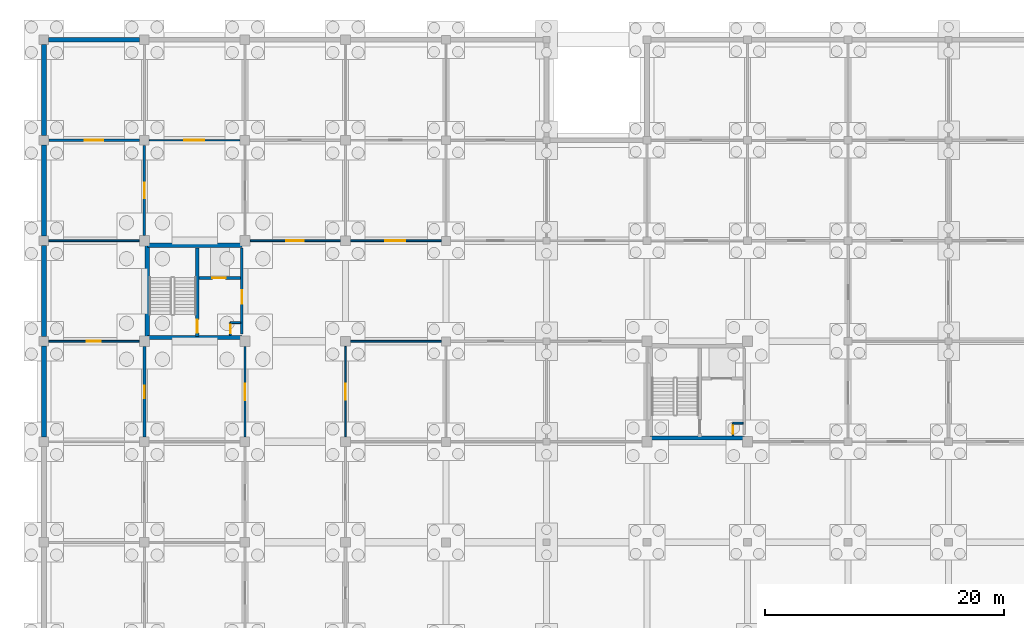
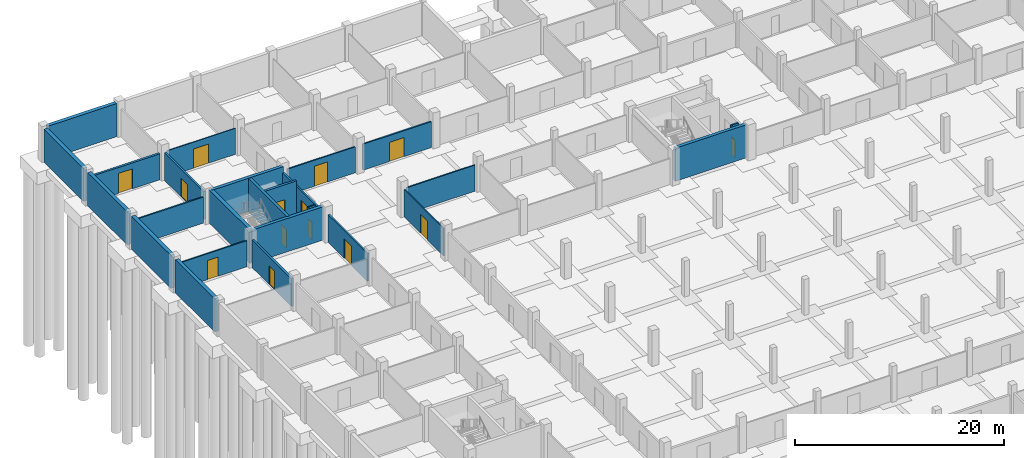
# One storey, part 26 of 43: 27 walls, 14 doors, 14 openings.
"""IFC4 building model written with IfcOpenShell, lengths in metres."""

from ifc_helpers import new_model, si_unit, direction, frame, frame_2d, origin, place, context, subcontext, project, spatial, rectangle, extrude, material, layer, layer_set, type_object, element, fill, save


model = new_model("IFC4")

# Units and contexts
model_context = context("Model", 3, precision=1e-05, world=origin(), true_north=direction((0.0, 1.0)))
body_context = subcontext(model_context, "Body", "Model", "MODEL_VIEW")
ifc_project = project(units=[si_unit("LENGTHUNIT", "METRE"), si_unit("AREAUNIT", "SQUARE_METRE"), si_unit("VOLUMEUNIT", "CUBIC_METRE"), si_unit("PLANEANGLEUNIT", "RADIAN"), si_unit("MASSUNIT", "GRAM", prefix="KILO")], contexts=[model_context])

# Site, building, storey
site_placement = place(None, origin())
site = spatial("IfcSite", under=ifc_project, at=site_placement, CompositionType="ELEMENT")
building_placement = place(site_placement, origin())
building = spatial("IfcBuilding", under=site, at=building_placement, Name="Varnapada Polytechnic", CompositionType="ELEMENT")
storey_placement = place(building_placement, frame((0.0, 0.0, -4.199951171875)))
storey = spatial("IfcBuildingStorey", under=building, at=storey_placement, Name="B1", CompositionType="ELEMENT", Elevation=-4.199951171875)

# Wall, opening, door
ifc_material_1 = material(Name="Autoclaved Aerated Concrete Block AAC-600", Category="concrete")
ifc_layer_1 = layer(ifc_material_1, 0.199951171875)
ifc_layer_set_1 = layer_set([ifc_layer_1], Name="Autoclaved Aerated Concrete Block AAC-600")
wall_type_1 = type_object("IfcWallType", Name="Interior Wall IW-01", PredefinedType="PARTITIONING", material=ifc_layer_set_1)
wall_1_placement = place(storey_placement, frame((16.5400390625, 108.60009765625, 0.0), z_axis=(0.0, 0.0, 1.0), x_axis=(0.0, -1.0, 0.0)))
wall_1 = element("IfcWall", 1, at=wall_1_placement, inside=storey, type_object=wall_type_1, Name="B1 C1 firefighting lobby east wall", PredefinedType="PARTITIONING", context=body_context, shape_type="SweptSolid", body=[
    extrude(rectangle(XDim=7.2001953125, YDim=0.199951171875, at=frame_2d((3.60009765625, 0.0))), origin(), (0.0, 0.0, 1.0), 3.25),
])
opening_1_placement = place(wall_1_placement, frame((3.550048828125, 0.0, 0.0)))
opening_1 = element("IfcOpeningElement", 2, at=opening_1_placement, cuts=wall_1, Name="Opening D-603", PredefinedType="OPENING", context=body_context, shape_type="SweptSolid", body=[
    extrude(rectangle(XDim=1.10009765625, YDim=2.14990234375, at=frame_2d((0.550048828125, 1.074951171875))), frame((0.0, 0.10986328125, 0.0), z_axis=(0.0, -1.0, 0.0), x_axis=(1.0, 0.0, 0.0)), (0.0, 0.0, 1.0), 0.219970703125),
])
ifc_material_2 = material(Name="Galvanized Steel Z275", Category="steel")
door_type_1 = type_object("IfcDoorType", Name="Interior Door ID-01", OperationType="NOTDEFINED", PredefinedType="DOOR", material=ifc_material_2)
door_1_placement = place(opening_1_placement, frame((1.10009765625, 0.0, 0.0), z_axis=(0.0, 0.0, 1.0), x_axis=(-1.0, 0.0, 0.0)))
door_1 = element("IfcDoor", 3, at=door_1_placement, inside=storey, type_object=door_type_1, Name="B1 C1 lobby fire door D-603", OperationType="SINGLE_SWING_LEFT", OverallHeight=2.14990234375, OverallWidth=1.10009765625, PredefinedType="DOOR", context=body_context, shape_type="SweptSolid", body=[
    extrude(rectangle(XDim=1.10009765625, YDim=2.14990234375, at=frame_2d((0.550048828125, 1.074951171875))), frame((0.0, 0.02490234375, 0.0), z_axis=(0.0, -1.0, 0.0), x_axis=(1.0, 0.0, 0.0)), (0.0, 0.0, 1.0), 0.050048828125),
])
fill(opening_1, door_1)

ifc_layer_2 = layer(ifc_material_1, 0.14990234375)
ifc_layer_set_2 = layer_set([ifc_layer_2], Name="Autoclaved Aerated Concrete Block AAC-600")
wall_type_2 = type_object("IfcWallType", Name="Interior Wall IW-02", PredefinedType="PARTITIONING", material=ifc_layer_set_2)
wall_2_placement = place(storey_placement, frame((15.580078125, 102.360107421875, 0.0), z_axis=(0.0, 0.0, 1.0), x_axis=(0.0, -1.0, 0.0)))
wall_2 = element("IfcWall", 4, at=wall_2_placement, inside=storey, type_object=wall_type_2, Name="B1 C1 riser shaft west wall", PredefinedType="PARTITIONING", context=body_context, shape_type="SweptSolid", body=[
    extrude(rectangle(XDim=1.06005859375, YDim=0.14990234375, at=frame_2d((0.530029296875, 0.0))), origin(), (0.0, 0.0, 1.0), 3.320068359375),
])
opening_2_placement = place(wall_2_placement, frame((0.159912109375, 0.0, 0.0)))
opening_2 = element("IfcOpeningElement", 5, at=opening_2_placement, cuts=wall_2, Name="Opening TD-02", PredefinedType="OPENING", context=body_context, shape_type="SweptSolid", body=[
    extrude(rectangle(XDim=0.75, YDim=2.050048828125, at=frame_2d((0.375, 1.02490234375))), frame((0.0, 0.0849609375, 0.0), z_axis=(0.0, -1.0, 0.0), x_axis=(1.0, 0.0, 0.0)), (0.0, 0.0, 1.0), 0.169921875),
])
door_type_2 = type_object("IfcDoorType", Name="Interior Door TD-01", OperationType="NOTDEFINED", PredefinedType="TRAPDOOR", material=ifc_material_2)
door_2_placement = place(opening_2_placement, origin())
door_2 = element("IfcDoor", 6, at=door_2_placement, inside=storey, type_object=door_type_2, Name="B1 C1 riser access door TD-02", OperationType="SINGLE_SWING_LEFT", OverallHeight=2.050048828125, OverallWidth=0.75, PredefinedType="TRAPDOOR", context=body_context, shape_type="SweptSolid", body=[
    extrude(rectangle(XDim=0.75, YDim=2.050048828125, at=frame_2d((0.375, 1.02490234375))), frame((0.0, 0.02490234375, 0.0), z_axis=(0.0, -1.0, 0.0), x_axis=(1.0, 0.0, 0.0)), (0.0, 0.0, 1.0), 0.050048828125),
])
fill(opening_2, door_2)

# Wall
wall_3_placement = place(storey_placement, frame((15.580078125, 102.360107421875, 0.0), z_axis=(0.0, 0.0, 1.0), x_axis=(1.0, 0.0, 0.0)))
element("IfcWall", 7, at=wall_3_placement, inside=storey, type_object=wall_type_2, Name="B1 C1 riser shaft north wall", PredefinedType="PARTITIONING", context=body_context, shape_type="SweptSolid", body=[
    extrude(rectangle(XDim=0.85986328125, YDim=0.14990234375, at=frame_2d((0.429931640625, 0.0))), origin(), (0.0, 0.0, 1.0), 3.320068359375),
])

# Wall, opening, door
wall_4_placement = place(storey_placement, frame((57.580078125, 93.9599609375, 0.0), z_axis=(0.0, 0.0, 1.0), x_axis=(0.0, -1.0, 0.0)))
wall_4 = element("IfcWall", 8, at=wall_4_placement, inside=storey, type_object=wall_type_2, Name="B1 C4 riser shaft west wall", PredefinedType="PARTITIONING", context=body_context, shape_type="SweptSolid", body=[
    extrude(rectangle(XDim=1.06005859375, YDim=0.14990234375, at=frame_2d((0.530029296875, 0.0))), origin(), (0.0, 0.0, 1.0), 3.320068359375),
])
opening_3_placement = place(wall_4_placement, frame((0.159912109375, 0.0, 0.0)))
opening_3 = element("IfcOpeningElement", 9, at=opening_3_placement, cuts=wall_4, Name="Opening TD-04", PredefinedType="OPENING", context=body_context, shape_type="SweptSolid", body=[
    extrude(rectangle(XDim=0.75, YDim=2.050048828125, at=frame_2d((0.375, 1.02490234375))), frame((0.0, 0.0849609375, 0.0), z_axis=(0.0, -1.0, 0.0), x_axis=(1.0, 0.0, 0.0)), (0.0, 0.0, 1.0), 0.169921875),
])
door_3_placement = place(opening_3_placement, origin())
door_3 = element("IfcDoor", 10, at=door_3_placement, inside=storey, type_object=door_type_2, Name="B1 C4 riser access door TD-04", OperationType="SINGLE_SWING_LEFT", OverallHeight=2.050048828125, OverallWidth=0.75, PredefinedType="TRAPDOOR", context=body_context, shape_type="SweptSolid", body=[
    extrude(rectangle(XDim=0.75, YDim=2.050048828125, at=frame_2d((0.375, 1.02490234375))), frame((0.0, 0.02490234375, 0.0), z_axis=(0.0, -1.0, 0.0), x_axis=(1.0, 0.0, 0.0)), (0.0, 0.0, 1.0), 0.050048828125),
])
fill(opening_3, door_3)

# Wall
wall_5_placement = place(storey_placement, frame((57.580078125, 93.9599609375, 0.0), z_axis=(0.0, 0.0, 1.0), x_axis=(1.0, 0.0, 0.0)))
element("IfcWall", 11, at=wall_5_placement, inside=storey, type_object=wall_type_2, Name="B1 C4 riser shaft north wall", PredefinedType="PARTITIONING", context=body_context, shape_type="SweptSolid", body=[
    extrude(rectangle(XDim=0.85986328125, YDim=0.14990234375, at=frame_2d((0.429931640625, 0.0))), origin(), (0.0, 0.0, 1.0), 3.320068359375),
])

# Wall, opening, door
ifc_material_3 = material(Name="Gypsum Plasterboard Acoustic Partition")
ifc_layer_3 = layer(ifc_material_3, 0.125)
ifc_layer_set_3 = layer_set([ifc_layer_3], Name="Gypsum Plasterboard Acoustic Partition")
wall_type_3 = type_object("IfcWallType", Name="Interior Wall IW-03", PredefinedType="PARTITIONING", material=ifc_layer_set_3)
wall_6_placement = place(storey_placement, frame((25.199951171875, 92.820068359375, 0.0), z_axis=(0.0, 0.0, 1.0), x_axis=(0.0, 1.0, 0.0)))
wall_6 = element("IfcWall", 12, at=wall_6_placement, inside=storey, type_object=wall_type_3, Name="B1 interior partition IW-B1-02-11-V", PredefinedType="PARTITIONING", context=body_context, shape_type="SweptSolid", body=[
    extrude(rectangle(XDim=7.559814453125, YDim=0.125, at=frame_2d((3.77978515625, 0.0))), origin(), (0.0, 0.0, 1.0), 3.25),
])
opening_4_placement = place(wall_6_placement, frame((3.074951171875, 0.0, 0.0)))
opening_4 = element("IfcOpeningElement", 13, at=opening_4_placement, cuts=wall_6, Name="Opening D-644", PredefinedType="OPENING", context=body_context, shape_type="SweptSolid", body=[
    extrude(rectangle(XDim=1.35009765625, YDim=2.25, at=frame_2d((0.675048828125, 1.125))), frame((0.0, 0.072509765625, 0.0), z_axis=(0.0, -1.0, 0.0), x_axis=(1.0, 0.0, 0.0)), (0.0, 0.0, 1.0), 0.14501953125),
])
ifc_material_4 = material(Name="Powder-Coated Aluminium 6063-T6", Category="aluminium")
door_type_3 = type_object("IfcDoorType", Name="Interior Door ID-17", OperationType="NOTDEFINED", PredefinedType="DOOR", material=ifc_material_4)
door_4_placement = place(opening_4_placement, frame((1.35009765625, 0.0, 0.0), z_axis=(0.0, 0.0, 1.0), x_axis=(-1.0, 0.0, 0.0)))
door_4 = element("IfcDoor", 14, at=door_4_placement, inside=storey, type_object=door_type_3, Name="B1 interior room door D-644", OperationType="SINGLE_SWING_LEFT", OverallHeight=2.25, OverallWidth=1.35009765625, PredefinedType="DOOR", context=body_context, shape_type="SweptSolid", body=[
    extrude(rectangle(XDim=1.35009765625, YDim=2.25, at=frame_2d((0.675048828125, 1.125))), frame((0.0, 0.02490234375, 0.0), z_axis=(0.0, -1.0, 0.0), x_axis=(1.0, 0.0, 0.0)), (0.0, 0.0, 1.0), 0.050048828125),
])
fill(opening_4, door_4)

ifc_material_5 = material(Name="Moisture-Resistant Cement Board Partition")
ifc_layer_4 = layer(ifc_material_5, 0.139892578125)
ifc_layer_set_4 = layer_set([ifc_layer_4], Name="Moisture-Resistant Cement Board Partition")
wall_type_4 = type_object("IfcWallType", Name="Interior Wall IW-04", PredefinedType="PARTITIONING", material=ifc_layer_set_4)
wall_7_placement = place(storey_placement, frame((17.2451171875, 109.199951171875, 0.0), z_axis=(0.0, 0.0, 1.0), x_axis=(1.0, 0.0, 0.0)))
wall_7 = element("IfcWall", 15, at=wall_7_placement, inside=storey, type_object=wall_type_4, Name="B1 interior partition IW-B1-02-12-H", PredefinedType="PARTITIONING", context=body_context, shape_type="SweptSolid", body=[
    extrude(rectangle(XDim=7.534912109375, YDim=0.139892578125, at=frame_2d((3.767578125, 0.0))), origin(), (0.0, 0.0, 1.0), 3.050048828125),
])
opening_5_placement = place(wall_7_placement, frame((3.02490234375, 0.0, 0.0)))
opening_5 = element("IfcOpeningElement", 16, at=opening_5_placement, cuts=wall_7, Name="Opening D-645", PredefinedType="OPENING", context=body_context, shape_type="SweptSolid", body=[
    extrude(rectangle(XDim=1.449951171875, YDim=2.35009765625, at=frame_2d((0.72509765625, 1.175048828125))), frame((0.0, 0.079833984375, 0.0), z_axis=(0.0, -1.0, 0.0), x_axis=(1.0, 0.0, 0.0)), (0.0, 0.0, 1.0), 0.159912109375),
])
door_type_4 = type_object("IfcDoorType", Name="Interior Door ID-18", OperationType="NOTDEFINED", PredefinedType="DOOR", material=ifc_material_2)
door_5_placement = place(opening_5_placement, origin())
door_5 = element("IfcDoor", 17, at=door_5_placement, inside=storey, type_object=door_type_4, Name="B1 interior room door D-645", OperationType="SINGLE_SWING_RIGHT", OverallHeight=2.35009765625, OverallWidth=1.449951171875, PredefinedType="DOOR", context=body_context, shape_type="SweptSolid", body=[
    extrude(rectangle(XDim=1.449951171875, YDim=2.35009765625, at=frame_2d((0.72509765625, 1.175048828125))), frame((0.0, 0.02490234375, 0.0), z_axis=(0.0, -1.0, 0.0), x_axis=(1.0, 0.0, 0.0)), (0.0, 0.0, 1.0), 0.050048828125),
])
fill(opening_5, door_5)

# Wall
wall_8_placement = place(storey_placement, frame((25.6201171875, 100.800048828125, 0.0), z_axis=(0.0, 0.0, 1.0), x_axis=(1.0, 0.0, 0.0)))
element("IfcWall", 18, at=wall_8_placement, inside=storey, type_object=wall_type_4, Name="B1 interior partition IW-B1-03-11-H", PredefinedType="PARTITIONING", context=body_context, shape_type="SweptSolid", body=[
    extrude(rectangle(XDim=7.5849609375, YDim=0.139892578125, at=frame_2d((3.79248046875, 0.0))), origin(), (0.0, 0.0, 1.0), 3.050048828125),
])

# Wall, opening, door
ifc_material_6 = material(Name="Cross-laminated timber CLT C24", Category="wood")
ifc_layer_5 = layer(ifc_material_6, 0.159912109375)
ifc_layer_set_5 = layer_set([ifc_layer_5], Name="Cross-laminated timber CLT C24")
wall_type_5 = type_object("IfcWallType", Name="Interior Wall IW-05", PredefinedType="PARTITIONING", material=ifc_layer_set_5)
wall_9_placement = place(storey_placement, frame((25.6201171875, 109.199951171875, 0.0), z_axis=(0.0, 0.0, 1.0), x_axis=(1.0, 0.0, 0.0)))
wall_9 = element("IfcWall", 19, at=wall_9_placement, inside=storey, type_object=wall_type_5, Name="B1 interior partition IW-B1-03-12-H", PredefinedType="PARTITIONING", context=body_context, shape_type="SweptSolid", body=[
    extrude(rectangle(XDim=7.5849609375, YDim=0.159912109375, at=frame_2d((3.79248046875, 0.0))), origin(), (0.0, 0.0, 1.0), 3.050048828125),
])
opening_6_placement = place(wall_9_placement, frame((2.925048828125, 0.0, 0.0)))
opening_6 = element("IfcOpeningElement", 20, at=opening_6_placement, cuts=wall_9, Name="Opening D-652", PredefinedType="OPENING", context=body_context, shape_type="SweptSolid", body=[
    extrude(rectangle(XDim=1.64990234375, YDim=2.25, at=frame_2d((0.824951171875, 1.125))), frame((0.0, 0.08984375, 0.0), z_axis=(0.0, -1.0, 0.0), x_axis=(1.0, 0.0, 0.0)), (0.0, 0.0, 1.0), 0.179931640625),
])
ifc_material_7 = material(Name="Solid Teak Hardwood Timber", Category="wood")
door_type_5 = type_object("IfcDoorType", Name="Interior Door ID-08", OperationType="NOTDEFINED", PredefinedType="DOOR", material=ifc_material_7)
door_6_placement = place(opening_6_placement, origin())
door_6 = element("IfcDoor", 21, at=door_6_placement, inside=storey, type_object=door_type_5, Name="B1 interior room door D-652", OperationType="SINGLE_SWING_LEFT", OverallHeight=2.25, OverallWidth=1.64990234375, PredefinedType="DOOR", context=body_context, shape_type="SweptSolid", body=[
    extrude(rectangle(XDim=1.64990234375, YDim=2.25, at=frame_2d((0.824951171875, 1.125))), frame((0.0, 0.02490234375, 0.0), z_axis=(0.0, -1.0, 0.0), x_axis=(1.0, 0.0, 0.0)), (0.0, 0.0, 1.0), 0.050048828125),
])
fill(opening_6, door_6)

ifc_material_8 = material(Name="Acoustic Double-Stud Studio Partition")
ifc_layer_6 = layer(ifc_material_8, 0.179931640625)
ifc_layer_set_6 = layer_set([ifc_layer_6], Name="Acoustic Double-Stud Studio Partition")
wall_type_6 = type_object("IfcWallType", Name="Interior Wall IW-06", PredefinedType="PARTITIONING", material=ifc_layer_set_6)
wall_10_placement = place(storey_placement, frame((16.800048828125, 92.820068359375, 0.0), z_axis=(0.0, 0.0, 1.0), x_axis=(0.0, 1.0, 0.0)))
wall_10 = element("IfcWall", 22, at=wall_10_placement, inside=storey, type_object=wall_type_6, Name="B1 interior partition IW-B1-01-11-V", PredefinedType="PARTITIONING", context=body_context, shape_type="SweptSolid", body=[
    extrude(rectangle(XDim=7.534912109375, YDim=0.179931640625, at=frame_2d((3.767578125, 0.0))), origin(), (0.0, 0.0, 1.0), 3.25),
])
opening_7_placement = place(wall_10_placement, frame((3.050048828125, 0.0, 0.0)))
opening_7 = element("IfcOpeningElement", 23, at=opening_7_placement, cuts=wall_10, Name="Opening D-633", PredefinedType="OPENING", context=body_context, shape_type="SweptSolid", body=[
    extrude(rectangle(XDim=1.39990234375, YDim=2.25, at=frame_2d((0.699951171875, 1.125))), frame((0.0, 0.099853515625, 0.0), z_axis=(0.0, -1.0, 0.0), x_axis=(1.0, 0.0, 0.0)), (0.0, 0.0, 1.0), 0.199951171875),
])
door_type_6 = type_object("IfcDoorType", Name="Interior Door ID-06", OperationType="NOTDEFINED", PredefinedType="DOOR", material=ifc_material_4)
door_7_placement = place(opening_7_placement, origin())
door_7 = element("IfcDoor", 24, at=door_7_placement, inside=storey, type_object=door_type_6, Name="B1 interior room door D-633", OperationType="SINGLE_SWING_RIGHT", OverallHeight=2.25, OverallWidth=1.39990234375, PredefinedType="DOOR", context=body_context, shape_type="SweptSolid", body=[
    extrude(rectangle(XDim=1.39990234375, YDim=2.25, at=frame_2d((0.699951171875, 1.125))), frame((0.0, 0.02490234375, 0.0), z_axis=(0.0, -1.0, 0.0), x_axis=(1.0, 0.0, 0.0)), (0.0, 0.0, 1.0), 0.050048828125),
])
fill(opening_7, door_7)

ifc_material_9 = material(Name="Operable Acoustic Seminar Partition")
ifc_layer_7 = layer(ifc_material_9, 0.10009765625)
ifc_layer_set_7 = layer_set([ifc_layer_7], Name="Operable Acoustic Seminar Partition")
wall_type_7 = type_object("IfcWallType", Name="Interior Wall IW-08", PredefinedType="MOVABLE", material=ifc_layer_set_7)
wall_11_placement = place(storey_placement, frame((8.820068359375, 117.60009765625, 0.0), z_axis=(0.0, 0.0, 1.0), x_axis=(1.0, 0.0, 0.0)))
wall_11 = element("IfcWall", 25, at=wall_11_placement, inside=storey, type_object=wall_type_7, Name="B1 interior partition IW-B1-01-13-H", PredefinedType="MOVABLE", context=body_context, shape_type="SweptSolid", body=[
    extrude(rectangle(XDim=7.559814453125, YDim=0.10009765625, at=frame_2d((3.77978515625, 0.0))), origin(), (0.0, 0.0, 1.0), 3.050048828125),
])
opening_8_placement = place(wall_11_placement, frame((2.925048828125, 0.0, 0.0)))
opening_8 = element("IfcOpeningElement", 26, at=opening_8_placement, cuts=wall_11, Name="Opening D-635", PredefinedType="OPENING", context=body_context, shape_type="SweptSolid", body=[
    extrude(rectangle(XDim=1.64990234375, YDim=2.25, at=frame_2d((0.824951171875, 1.125))), frame((0.0, 0.06005859375, 0.0), z_axis=(0.0, -1.0, 0.0), x_axis=(1.0, 0.0, 0.0)), (0.0, 0.0, 1.0), 0.1201171875),
])
door_8_placement = place(opening_8_placement, frame((1.64990234375, 0.0, 0.0), z_axis=(0.0, 0.0, 1.0), x_axis=(-1.0, 0.0, 0.0)))
door_8 = element("IfcDoor", 27, at=door_8_placement, inside=storey, type_object=door_type_5, Name="B1 interior room door D-635", OperationType="SINGLE_SWING_RIGHT", OverallHeight=2.25, OverallWidth=1.64990234375, PredefinedType="DOOR", context=body_context, shape_type="SweptSolid", body=[
    extrude(rectangle(XDim=1.64990234375, YDim=2.25, at=frame_2d((0.824951171875, 1.125))), frame((0.0, 0.02490234375, 0.0), z_axis=(0.0, -1.0, 0.0), x_axis=(1.0, 0.0, 0.0)), (0.0, 0.0, 1.0), 0.050048828125),
])
fill(opening_8, door_8)

ifc_material_10 = material(Name="Heavy Acoustic Auditorium Baffle Wall")
ifc_layer_8 = layer(ifc_material_10, 0.219970703125)
ifc_layer_set_8 = layer_set([ifc_layer_8], Name="Heavy Acoustic Auditorium Baffle Wall")
wall_type_8 = type_object("IfcWallType", Name="Interior Wall IW-13", PredefinedType="PARTITIONING", material=ifc_layer_set_8)
wall_12_placement = place(storey_placement, frame((8.39990234375, 92.820068359375, 0.0), z_axis=(0.0, 0.0, 1.0), x_axis=(0.0, 1.0, 0.0)))
wall_12 = element("IfcWall", 28, at=wall_12_placement, inside=storey, type_object=wall_type_8, Name="B1 interior partition IW-B1-00-11-V", PredefinedType="PARTITIONING", context=body_context, shape_type="SweptSolid", body=[
    extrude(rectangle(XDim=7.534912109375, YDim=0.219970703125, at=frame_2d((3.767578125, 0.0))), origin(), (0.0, 0.0, 1.0), 3.25),
])
opening_9_placement = place(wall_12_placement, frame((3.22509765625, 0.0, 0.0)))
opening_9 = element("IfcOpeningElement", 29, at=opening_9_placement, cuts=wall_12, Name="Opening D-619", PredefinedType="OPENING", context=body_context, shape_type="SweptSolid", body=[
    extrude(rectangle(XDim=1.050048828125, YDim=2.199951171875, at=frame_2d((0.52490234375, 1.10009765625))), frame((0.0, 0.119873046875, 0.0), z_axis=(0.0, -1.0, 0.0), x_axis=(1.0, 0.0, 0.0)), (0.0, 0.0, 1.0), 0.239990234375),
])
door_type_7 = type_object("IfcDoorType", Name="Interior Door ID-09", OperationType="NOTDEFINED", PredefinedType="DOOR", material=ifc_material_7)
door_9_placement = place(opening_9_placement, origin())
door_9 = element("IfcDoor", 30, at=door_9_placement, inside=storey, type_object=door_type_7, Name="B1 interior room door D-619", OperationType="SINGLE_SWING_RIGHT", OverallHeight=2.199951171875, OverallWidth=1.050048828125, PredefinedType="DOOR", context=body_context, shape_type="SweptSolid", body=[
    extrude(rectangle(XDim=1.050048828125, YDim=2.199951171875, at=frame_2d((0.52490234375, 1.10009765625))), frame((0.0, 0.02490234375, 0.0), z_axis=(0.0, -1.0, 0.0), x_axis=(1.0, 0.0, 0.0)), (0.0, 0.0, 1.0), 0.050048828125),
])
fill(opening_9, door_9)

ifc_material_11 = material(Name="Ceramic-Tiled Wet Laboratory Wall")
ifc_layer_9 = layer(ifc_material_11, 0.14501953125)
ifc_layer_set_9 = layer_set([ifc_layer_9], Name="Ceramic-Tiled Wet Laboratory Wall")
wall_type_9 = type_object("IfcWallType", Name="Interior Wall IW-14", PredefinedType="PARTITIONING", material=ifc_layer_set_9)
wall_13_placement = place(storey_placement, frame((0.419921875, 100.800048828125, 0.0), z_axis=(0.0, 0.0, 1.0), x_axis=(1.0, 0.0, 0.0)))
wall_13 = element("IfcWall", 31, at=wall_13_placement, inside=storey, type_object=wall_type_9, Name="B1 interior partition IW-B1-00-11-H", PredefinedType="PARTITIONING", context=body_context, shape_type="SweptSolid", body=[
    extrude(rectangle(XDim=7.53515625, YDim=0.14501953125, at=frame_2d((3.767578125, 0.0))), origin(), (0.0, 0.0, 1.0), 3.050048828125),
])
opening_10_placement = place(wall_13_placement, frame((3.175048828125, 0.0, 0.0)))
opening_10 = element("IfcOpeningElement", 32, at=opening_10_placement, cuts=wall_13, Name="Opening D-620", PredefinedType="OPENING", context=body_context, shape_type="SweptSolid", body=[
    extrude(rectangle(XDim=1.14990234375, YDim=2.25, at=frame_2d((0.574951171875, 1.125))), frame((0.0, 0.08251953125, 0.0), z_axis=(0.0, -1.0, 0.0), x_axis=(1.0, 0.0, 0.0)), (0.0, 0.0, 1.0), 0.1650390625),
])
door_type_8 = type_object("IfcDoorType", Name="Interior Door ID-10", OperationType="NOTDEFINED", PredefinedType="DOOR", material=ifc_material_4)
door_10_placement = place(opening_10_placement, frame((1.14990234375, 0.0, 0.0), z_axis=(0.0, 0.0, 1.0), x_axis=(-1.0, 0.0, 0.0)))
door_10 = element("IfcDoor", 33, at=door_10_placement, inside=storey, type_object=door_type_8, Name="B1 interior room door D-620", OperationType="SINGLE_SWING_LEFT", OverallHeight=2.25, OverallWidth=1.14990234375, PredefinedType="DOOR", context=body_context, shape_type="SweptSolid", body=[
    extrude(rectangle(XDim=1.14990234375, YDim=2.25, at=frame_2d((0.574951171875, 1.125))), frame((0.0, 0.02490234375, 0.0), z_axis=(0.0, -1.0, 0.0), x_axis=(1.0, 0.0, 0.0)), (0.0, 0.0, 1.0), 0.050048828125),
])
fill(opening_10, door_10)

# Wall
ifc_material_12 = material(Name="Perforated Timber-Lined Seminar Wall", Category="wood")
ifc_layer_10 = layer(ifc_material_12, 0.155029296875)
ifc_layer_set_10 = layer_set([ifc_layer_10], Name="Perforated Timber-Lined Seminar Wall")
wall_type_10 = type_object("IfcWallType", Name="Interior Wall IW-15", PredefinedType="PARTITIONING", material=ifc_layer_set_10)
wall_14_placement = place(storey_placement, frame((0.419921875, 109.199951171875, 0.0), z_axis=(0.0, 0.0, 1.0), x_axis=(1.0, 0.0, 0.0)))
element("IfcWall", 34, at=wall_14_placement, inside=storey, type_object=wall_type_10, Name="B1 interior partition IW-B1-00-12-H", PredefinedType="PARTITIONING", context=body_context, shape_type="SweptSolid", body=[
    extrude(rectangle(XDim=7.53515625, YDim=0.155029296875, at=frame_2d((3.767578125, 0.0))), origin(), (0.0, 0.0, 1.0), 3.050048828125),
])

# Wall, opening, door
ifc_material_13 = material(Name="Heavy Masonry Workshop Partition", Category="masonry")
ifc_layer_11 = layer(ifc_material_13, 0.2099609375)
ifc_layer_set_11 = layer_set([ifc_layer_11], Name="Heavy Masonry Workshop Partition")
wall_type_11 = type_object("IfcWallType", Name="Interior Wall IW-16", PredefinedType="PARTITIONING", material=ifc_layer_set_11)
wall_15_placement = place(storey_placement, frame((8.39990234375, 109.64501953125, 0.0), z_axis=(0.0, 0.0, 1.0), x_axis=(0.0, 1.0, 0.0)))
wall_15 = element("IfcWall", 35, at=wall_15_placement, inside=storey, type_object=wall_type_11, Name="B1 interior partition IW-B1-00-13-V", PredefinedType="PARTITIONING", context=body_context, shape_type="SweptSolid", body=[
    extrude(rectangle(XDim=7.534912109375, YDim=0.2099609375, at=frame_2d((3.767578125, 0.0))), origin(), (0.0, 0.0, 1.0), 3.25),
])
opening_11_placement = place(wall_15_placement, frame((3.10009765625, 0.0, 0.0)))
opening_11 = element("IfcOpeningElement", 36, at=opening_11_placement, cuts=wall_15, Name="Opening D-621", PredefinedType="OPENING", context=body_context, shape_type="SweptSolid", body=[
    extrude(rectangle(XDim=1.300048828125, YDim=2.199951171875, at=frame_2d((0.64990234375, 1.10009765625))), frame((0.0, 0.114990234375, 0.0), z_axis=(0.0, -1.0, 0.0), x_axis=(1.0, 0.0, 0.0)), (0.0, 0.0, 1.0), 0.22998046875),
])
ifc_material_14 = material(Name="Acoustic Laminated Timber Leaf", Category="wood")
door_type_9 = type_object("IfcDoorType", Name="Interior Door ID-11", OperationType="NOTDEFINED", PredefinedType="DOOR", material=ifc_material_14)
door_11_placement = place(opening_11_placement, origin())
door_11 = element("IfcDoor", 37, at=door_11_placement, inside=storey, type_object=door_type_9, Name="B1 interior room door D-621", OperationType="SINGLE_SWING_RIGHT", OverallHeight=2.199951171875, OverallWidth=1.300048828125, PredefinedType="DOOR", context=body_context, shape_type="SweptSolid", body=[
    extrude(rectangle(XDim=1.300048828125, YDim=2.199951171875, at=frame_2d((0.64990234375, 1.10009765625))), frame((0.0, 0.02490234375, 0.0), z_axis=(0.0, -1.0, 0.0), x_axis=(1.0, 0.0, 0.0)), (0.0, 0.0, 1.0), 0.050048828125),
])
fill(opening_11, door_11)

ifc_material_15 = material(Name="Double-Leaf Acoustic Lecture Wall")
ifc_layer_12 = layer(ifc_material_15, 0.235107421875)
ifc_layer_set_12 = layer_set([ifc_layer_12], Name="Double-Leaf Acoustic Lecture Wall")
wall_type_12 = type_object("IfcWallType", Name="Interior Wall IW-17", PredefinedType="PARTITIONING", material=ifc_layer_set_12)
wall_16_placement = place(storey_placement, frame((0.419921875, 117.60009765625, 0.0), z_axis=(0.0, 0.0, 1.0), x_axis=(1.0, 0.0, 0.0)))
wall_16 = element("IfcWall", 38, at=wall_16_placement, inside=storey, type_object=wall_type_12, Name="B1 interior partition IW-B1-00-13-H", PredefinedType="PARTITIONING", context=body_context, shape_type="SweptSolid", body=[
    extrude(rectangle(XDim=7.56005859375, YDim=0.235107421875, at=frame_2d((3.780029296875, 0.0))), origin(), (0.0, 0.0, 1.0), 3.050048828125),
])
opening_12_placement = place(wall_16_placement, frame((2.97509765625, 0.0, 0.0)))
opening_12 = element("IfcOpeningElement", 39, at=opening_12_placement, cuts=wall_16, Name="Opening D-622", PredefinedType="OPENING", context=body_context, shape_type="SweptSolid", body=[
    extrude(rectangle(XDim=1.550048828125, YDim=2.35009765625, at=frame_2d((0.77490234375, 1.175048828125))), frame((0.0, 0.12744140625, 0.0), z_axis=(0.0, -1.0, 0.0), x_axis=(1.0, 0.0, 0.0)), (0.0, 0.0, 1.0), 0.255126953125),
])
door_type_10 = type_object("IfcDoorType", Name="Interior Door ID-12", OperationType="NOTDEFINED", PredefinedType="DOOR", material=ifc_material_2)
door_12_placement = place(opening_12_placement, origin())
door_12 = element("IfcDoor", 40, at=door_12_placement, inside=storey, type_object=door_type_10, Name="B1 interior room door D-622", OperationType="SINGLE_SWING_LEFT", OverallHeight=2.35009765625, OverallWidth=1.550048828125, PredefinedType="DOOR", context=body_context, shape_type="SweptSolid", body=[
    extrude(rectangle(XDim=1.550048828125, YDim=2.35009765625, at=frame_2d((0.77490234375, 1.175048828125))), frame((0.0, 0.02490234375, 0.0), z_axis=(0.0, -1.0, 0.0), x_axis=(1.0, 0.0, 0.0)), (0.0, 0.0, 1.0), 0.050048828125),
])
fill(opening_12, door_12)

# Walls
ifc_material_16 = material(Name="Concrete C40/50", Category="concrete")
ifc_layer_13 = layer(ifc_material_16, 0.35009765625)
ifc_layer_set_13 = layer_set([ifc_layer_13], Name="Concrete C40/50")
wall_type_13 = type_object("IfcWallType", Name="Interior Wall SW-01", PredefinedType="SHEAR", material=ifc_layer_set_13)
for number, where, z_axis, x_axis, name in (
    (41, (8.639892578125, 108.820068359375, 0.0), (0.0, 0.0, 1.0), (1.0, 0.0, 0.0), "B1 C1 core north shear wall"),
    (42, (16.5400390625, 101.1201171875, 0.0), (0.0, 0.0, 1.0), (-1.0, 0.0, 0.0), "B1 C1 core south shear wall"),
):
    element("IfcWall", number, at=place(storey_placement, frame(where, z_axis=z_axis, x_axis=x_axis)), inside=storey, type_object=wall_type_13, Name=name, PredefinedType="SHEAR", context=body_context, shape_type="SweptSolid", body=[
        extrude(rectangle(XDim=7.900146484375, YDim=0.35009765625, at=frame_2d((3.9501953125, 0.0))), origin(), (0.0, 0.0, 1.0), 3.89990234375),
    ])
wall_17_placement = place(storey_placement, frame((58.5400390625, 92.719970703125, 0.0), z_axis=(0.0, 0.0, 1.0), x_axis=(-1.0, 0.0, 0.0)))
element("IfcWall", 43, at=wall_17_placement, inside=storey, type_object=wall_type_13, Name="B1 C4 core south shear wall", PredefinedType="SHEAR", context=body_context, shape_type="SweptSolid", body=[
    extrude(rectangle(XDim=7.900146484375, YDim=0.35009765625, at=frame_2d((3.9501953125, 0.0))), origin(), (0.0, 0.0, 1.0), 3.8798828125),
])

# Wall, opening, door
ifc_layer_14 = layer(ifc_material_16, 0.300048828125)
ifc_layer_set_14 = layer_set([ifc_layer_14], Name="Concrete C40/50")
wall_type_14 = type_object("IfcWallType", Name="Interior Wall SW-02", PredefinedType="SHEAR", material=ifc_layer_set_14)
wall_18_placement = place(storey_placement, frame((12.81005859375, 101.219970703125, 0.0), z_axis=(0.0, 0.0, 1.0), x_axis=(0.0, 1.0, 0.0)))
wall_18 = element("IfcWall", 44, at=wall_18_placement, inside=storey, type_object=wall_type_14, Name="B1 C1 stair-lobby dividing shear wall", PredefinedType="SHEAR", context=body_context, shape_type="SweptSolid", body=[
    extrude(rectangle(XDim=7.380126953125, YDim=0.300048828125, at=frame_2d((3.68994140625, 0.0))), origin(), (0.0, 0.0, 1.0), 3.89990234375),
])
opening_13_placement = place(wall_18_placement, frame((0.280029296875, 0.0, 0.0)))
opening_13 = element("IfcOpeningElement", 45, at=opening_13_placement, cuts=wall_18, Name="Opening D-604", PredefinedType="OPENING", context=body_context, shape_type="SweptSolid", body=[
    extrude(rectangle(XDim=1.10009765625, YDim=2.14990234375, at=frame_2d((0.550048828125, 1.074951171875))), frame((0.0, 0.159912109375, 0.0), z_axis=(0.0, -1.0, 0.0), x_axis=(1.0, 0.0, 0.0)), (0.0, 0.0, 1.0), 0.320068359375),
])
door_13_placement = place(opening_13_placement, origin())
door_13 = element("IfcDoor", 46, at=door_13_placement, inside=storey, type_object=door_type_1, Name="B1 C1 exit stair door D-604", OperationType="SINGLE_SWING_LEFT", OverallHeight=2.14990234375, OverallWidth=1.10009765625, PredefinedType="DOOR", context=body_context, shape_type="SweptSolid", body=[
    extrude(rectangle(XDim=1.10009765625, YDim=2.14990234375, at=frame_2d((0.550048828125, 1.074951171875))), frame((0.0, 0.02490234375, 0.0), z_axis=(0.0, -1.0, 0.0), x_axis=(1.0, 0.0, 0.0)), (0.0, 0.0, 1.0), 0.050048828125),
])
fill(opening_13, door_13)

# Wall
ifc_layer_15 = layer(ifc_material_16, 0.39990234375)
ifc_layer_set_15 = layer_set([ifc_layer_15], Name="Concrete C40/50")
wall_type_15 = type_object("IfcWallType", Name="Interior Wall SW-03", PredefinedType="SHEAR", material=ifc_layer_set_15)
wall_19_placement = place(storey_placement, frame((8.639892578125, 101.050048828125, 0.0), z_axis=(0.0, 0.0, 1.0), x_axis=(0.0, 1.0, 0.0)))
element("IfcWall", 47, at=wall_19_placement, inside=storey, type_object=wall_type_15, Name="B1 C1 stair west shear wall", PredefinedType="SHEAR", context=body_context, shape_type="SweptSolid", body=[
    extrude(rectangle(XDim=7.93994140625, YDim=0.39990234375, at=frame_2d((3.969970703125, 0.0))), origin(), (0.0, 0.0, 1.0), 3.89990234375),
])

# Wall, opening, door
ifc_layer_16 = layer(ifc_material_16, 0.25)
ifc_layer_set_16 = layer_set([ifc_layer_16], Name="Concrete C40/50")
wall_type_16 = type_object("IfcWallType", Name="Interior Wall SW-05", PredefinedType="SHEAR", material=ifc_layer_set_16)
wall_20_placement = place(storey_placement, frame((12.97998046875, 106.080078125, 0.0), z_axis=(0.0, 0.0, 1.0), x_axis=(1.0, 0.0, 0.0)))
wall_20 = element("IfcWall", 48, at=wall_20_placement, inside=storey, type_object=wall_type_16, Name="B1 C1 lift shaft front wall", PredefinedType="SHEAR", context=body_context, shape_type="SweptSolid", body=[
    extrude(rectangle(XDim=3.4599609375, YDim=0.25, at=frame_2d((1.72998046875, 0.0))), origin(), (0.0, 0.0, 1.0), 3.89990234375),
])
opening_14_placement = place(wall_20_placement, frame((1.10009765625, 0.0, 0.0)))
opening_14 = element("IfcOpeningElement", 49, at=opening_14_placement, cuts=wall_20, Name="Opening LD-002", PredefinedType="OPENING", context=body_context, shape_type="SweptSolid", body=[
    extrude(rectangle(XDim=1.10009765625, YDim=2.14990234375, at=frame_2d((0.550048828125, 1.074951171875))), frame((0.0, 0.135009765625, 0.0), z_axis=(0.0, -1.0, 0.0), x_axis=(1.0, 0.0, 0.0)), (0.0, 0.0, 1.0), 0.27001953125),
])
ifc_material_17 = material(Name="Brushed Stainless Steel 316", Category="steel")
door_type_11 = type_object("IfcDoorType", Name="Interior Door LD-01", OperationType="NOTDEFINED", PredefinedType="DOOR", material=ifc_material_17)
door_14_placement = place(opening_14_placement, origin())
door_14 = element("IfcDoor", 50, at=door_14_placement, inside=storey, type_object=door_type_11, Name="B1 LFT-01 sliding lift landing door LD-002", OperationType="DOUBLE_DOOR_SLIDING", OverallHeight=2.14990234375, OverallWidth=1.10009765625, PredefinedType="DOOR", context=body_context, shape_type="SweptSolid", body=[
    extrude(rectangle(XDim=1.10009765625, YDim=2.14990234375, at=frame_2d((0.550048828125, 1.074951171875))), frame((0.0, 0.02490234375, 0.0), z_axis=(0.0, -1.0, 0.0), x_axis=(1.0, 0.0, 0.0)), (0.0, 0.0, 1.0), 0.050048828125),
])
fill(opening_14, door_14)

# Walls
ifc_layer_17 = layer(ifc_material_16, 0.39990234375)
ifc_layer_set_17 = layer_set([ifc_layer_17], Name="Concrete C40/50")
wall_type_17 = type_object("IfcWallType", Name="Wall RW-01", PredefinedType="STANDARD", material=ifc_layer_set_17)
wall_21_placement = place(storey_placement, frame((0.0, 92.800048828125, 0.0), z_axis=(0.0, 0.0, 1.0), x_axis=(0.0, 1.0, 0.0)))
element("IfcWall", 51, at=wall_21_placement, inside=storey, type_object=wall_type_17, Name="B1 perimeter retaining wall 8", PredefinedType="STANDARD", context=body_context, shape_type="SweptSolid", body=[
    extrude(rectangle(XDim=7.599853515625, YDim=0.39990234375, at=frame_2d((3.7998046875, 0.0))), origin(), (0.0, 0.0, 1.0), 3.8798828125),
])
wall_22_placement = place(storey_placement, frame((0.0, 101.199951171875, 0.0), z_axis=(0.0, 0.0, 1.0), x_axis=(0.0, 1.0, 0.0)))
element("IfcWall", 52, at=wall_22_placement, inside=storey, type_object=wall_type_17, Name="B1 perimeter retaining wall 9", PredefinedType="STANDARD", context=body_context, shape_type="SweptSolid", body=[
    extrude(rectangle(XDim=7.60009765625, YDim=0.39990234375, at=frame_2d((3.800048828125, 0.0))), origin(), (0.0, 0.0, 1.0), 3.8798828125),
])
wall_23_placement = place(storey_placement, frame((0.0, 109.60009765625, 0.0), z_axis=(0.0, 0.0, 1.0), x_axis=(0.0, 1.0, 0.0)))
element("IfcWall", 53, at=wall_23_placement, inside=storey, type_object=wall_type_17, Name="B1 perimeter retaining wall 10", PredefinedType="STANDARD", context=body_context, shape_type="SweptSolid", body=[
    extrude(rectangle(XDim=7.599853515625, YDim=0.39990234375, at=frame_2d((3.7998046875, 0.0))), origin(), (0.0, 0.0, 1.0), 3.8798828125),
])
for number, where, z_axis, x_axis, name in (
    (54, (0.39990234375, 126.0, 0.0), (0.0, 0.0, 1.0), (1.0, 0.0, 0.0), "B1 perimeter retaining wall 11"),
    (55, (0.0, 118.0, 0.0), (0.0, 0.0, 1.0), (0.0, 1.0, 0.0), "B1 perimeter retaining wall 12"),
):
    element("IfcWall", number, at=place(storey_placement, frame(where, z_axis=z_axis, x_axis=x_axis)), inside=storey, type_object=wall_type_17, Name=name, PredefinedType="STANDARD", context=body_context, shape_type="SweptSolid", body=[
        extrude(rectangle(XDim=7.60009765625, YDim=0.39990234375, at=frame_2d((3.800048828125, 0.0))), origin(), (0.0, 0.0, 1.0), 3.8798828125),
    ])

save(model, "model.ifc")
